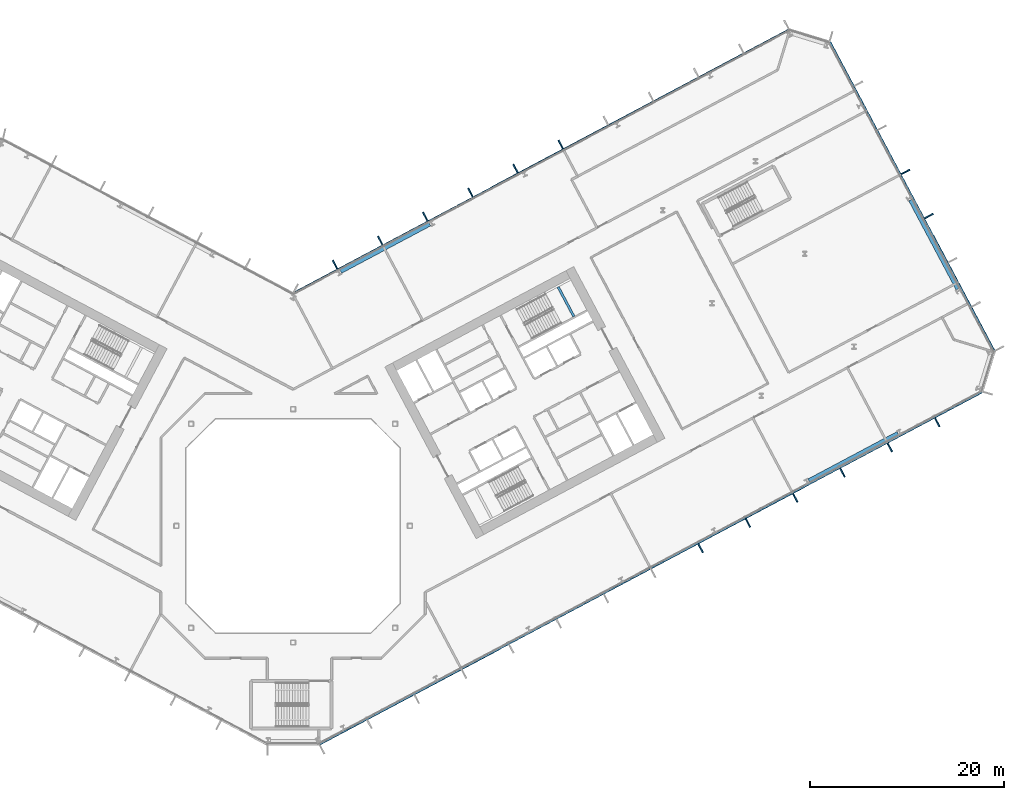
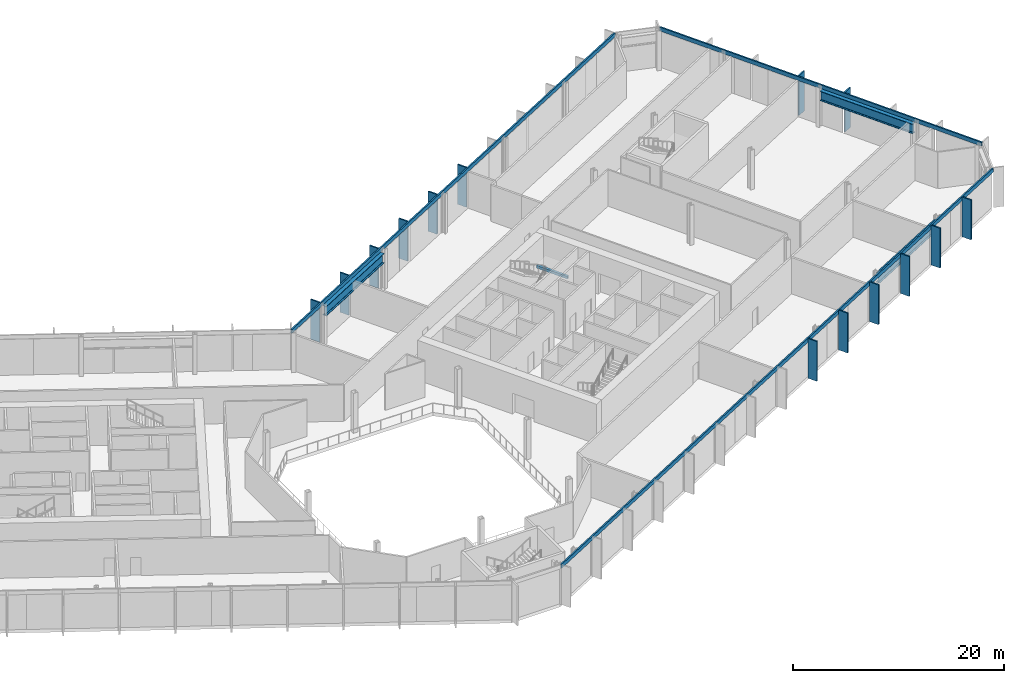
# One storey, part 8 of 32: 17 members, 4 beams, 3 elements without a shape of their own.
"""IFC4 building model written with IfcOpenShell, lengths in metres."""

from ifc_helpers import new_model, si_unit, direction, frame, origin, origin_2d, place, context, subcontext, project, spatial, rectangle, i_section, extrude, material, layer, layer_set, material_profile, profile_set, type_object, element, aggregate, save


model = new_model("IFC4")

# Units and contexts
model_context = context("Model", 3, precision=1e-05, world=origin(), true_north=direction((0.0, 1.0)))
body_context = subcontext(model_context, "Body", "Model", "MODEL_VIEW")
ifc_project = project(units=[si_unit("LENGTHUNIT", "METRE"), si_unit("AREAUNIT", "SQUARE_METRE"), si_unit("VOLUMEUNIT", "CUBIC_METRE"), si_unit("PLANEANGLEUNIT", "RADIAN"), si_unit("MASSUNIT", "GRAM", prefix="KILO")], contexts=[model_context])

# Site, building, storey
site_placement = place(None, origin())
site = spatial("IfcSite", under=ifc_project, at=site_placement, CompositionType="ELEMENT")
building_placement = place(site_placement, origin())
building = spatial("IfcBuilding", under=site, at=building_placement, Name="Cormorant Relay Tower", CompositionType="ELEMENT")
storey_placement = place(building_placement, frame((0.0, 0.0, 66.199951171875)))
storey = spatial("IfcBuildingStorey", under=building, at=storey_placement, Name="L12", CompositionType="ELEMENT", Elevation=66.199951171875)

# Curtain wall, members
ifc_material_1 = material(Name="Aluminium 6063-T6 anodised bronze", Category="aluminium")
ifc_layer = layer(ifc_material_1, 0.199951171875)
ifc_layer_set = layer_set([ifc_layer], Name="CW1 unitised bronze curtain wall with vertical fins")
curtain_wall_type = type_object("IfcCurtainWallType", Name="CW1 unitised bronze curtain wall with vertical fins", PredefinedType="NOTDEFINED", material=ifc_layer_set)
curtain_wall_1_placement = place(storey_placement, origin())
curtain_wall_1 = element("IfcCurtainWall", 1, at=curtain_wall_1_placement, inside=storey, type_object=curtain_wall_type, Name="CW1 curtain wall 2", PredefinedType="NOTDEFINED")
ifc_material_2 = material(Name="Aluminium 6063-T6 anodised bronze", Category="aluminium")
ifc_material_profile_1 = material_profile(ifc_material_2, rectangle(XDim=0.14990234375, YDim=1.0, at=origin_2d()), Name="AL 150x1000")
ifc_profile_set_1 = profile_set([ifc_material_profile_1], Name="Aluminium 6063-T6 anodised bronze")
member_type_1 = type_object("IfcMemberType", Name="CW1 bronze fin mullion 150 x 1000", PredefinedType="MULLION", material=ifc_profile_set_1)
member_1_placement = place(storey_placement, frame((41.910888671875, -2.29248046875, 0.0), z_axis=(0.0, 0.0, 1.0), x_axis=(0.882947592859, 0.469471562786, 0.0)))
member_1 = element("IfcMember", 2, at=member_1_placement, type_object=member_type_1, Name="CW1 fin 2.9", PredefinedType="MULLION", context=body_context, shape_type="SweptSolid", body=[
    extrude(rectangle(XDim=0.14990234375, YDim=1.0, at=origin_2d()), origin(), (0.0, 0.0, 1.0), 4.60009765625),
])
member_2_placement = place(storey_placement, frame((46.777587890625, 0.29541015625, 0.0), z_axis=(0.0, 0.0, 1.0), x_axis=(0.882947592859, 0.469471562786, 0.0)))
member_2 = element("IfcMember", 3, at=member_2_placement, type_object=member_type_1, Name="CW1 fin 2.10", PredefinedType="MULLION", context=body_context, shape_type="SweptSolid", body=[
    extrude(rectangle(XDim=0.14990234375, YDim=1.0, at=origin_2d()), origin(), (0.0, 0.0, 1.0), 4.60009765625),
])
member_3_placement = place(storey_placement, frame((51.644287109375, 2.8828125, 0.0), z_axis=(0.0, 0.0, 1.0), x_axis=(0.882947592859, 0.469471562786, 0.0)))
member_3 = element("IfcMember", 4, at=member_3_placement, type_object=member_type_1, Name="CW1 fin 2.11", PredefinedType="MULLION", context=body_context, shape_type="SweptSolid", body=[
    extrude(rectangle(XDim=0.14990234375, YDim=1.0, at=origin_2d()), origin(), (0.0, 0.0, 1.0), 4.60009765625),
])
member_4_placement = place(storey_placement, frame((56.510986328125, 5.470703125, 0.0), z_axis=(0.0, 0.0, 1.0), x_axis=(0.882947592859, 0.469471562786, 0.0)))
member_4 = element("IfcMember", 5, at=member_4_placement, type_object=member_type_1, Name="CW1 fin 2.12", PredefinedType="MULLION", context=body_context, shape_type="SweptSolid", body=[
    extrude(rectangle(XDim=0.14990234375, YDim=1.0, at=origin_2d()), origin(), (0.0, 0.0, 1.0), 4.60009765625),
])
member_5_placement = place(storey_placement, frame((61.377685546875, 8.058349609375, 0.0), z_axis=(0.0, 0.0, 1.0), x_axis=(0.882947592859, 0.469471562786, 0.0)))
member_5 = element("IfcMember", 6, at=member_5_placement, type_object=member_type_1, Name="CW1 fin 2.13", PredefinedType="MULLION", context=body_context, shape_type="SweptSolid", body=[
    extrude(rectangle(XDim=0.14990234375, YDim=1.0, at=origin_2d()), origin(), (0.0, 0.0, 1.0), 4.60009765625),
])
member_6_placement = place(storey_placement, frame((66.244140625, 10.64599609375, 0.0), z_axis=(0.0, 0.0, 1.0), x_axis=(0.882947592859, 0.469471562786, 0.0)))
member_6 = element("IfcMember", 7, at=member_6_placement, type_object=member_type_1, Name="CW1 fin 2.14", PredefinedType="MULLION", context=body_context, shape_type="SweptSolid", body=[
    extrude(rectangle(XDim=0.14990234375, YDim=1.0, at=origin_2d()), origin(), (0.0, 0.0, 1.0), 4.60009765625),
])

curtain_wall_2_placement = place(storey_placement, origin())
curtain_wall_2 = element("IfcCurtainWall", 8, at=curtain_wall_2_placement, inside=storey, type_object=curtain_wall_type, Name="CW1 curtain wall 4", PredefinedType="NOTDEFINED")
member_7_placement = place(storey_placement, frame((65.3974609375, 31.860107421875, 0.0), z_axis=(0.0, 0.0, 1.0), x_axis=(-0.469471562786, 0.882947592859, 0.0)))
member_7 = element("IfcMember", 9, at=member_7_placement, type_object=member_type_1, Name="CW1 fin 4.4", PredefinedType="MULLION", context=body_context, shape_type="SweptSolid", body=[
    extrude(rectangle(XDim=0.14990234375, YDim=1.0, at=origin_2d()), origin(), (0.0, 0.0, 1.0), 4.60009765625),
])
member_8_placement = place(storey_placement, frame((62.983154296875, 36.40087890625, 0.0), z_axis=(0.0, 0.0, 1.0), x_axis=(-0.469471562786, 0.882947592859, 0.0)))
member_8 = element("IfcMember", 10, at=member_8_placement, type_object=member_type_1, Name="CW1 fin 4.5", PredefinedType="MULLION", context=body_context, shape_type="SweptSolid", body=[
    extrude(rectangle(XDim=0.14990234375, YDim=1.0, at=origin_2d()), origin(), (0.0, 0.0, 1.0), 4.60009765625),
])

curtain_wall_3_placement = place(storey_placement, origin())
curtain_wall_3 = element("IfcCurtainWall", 11, at=curtain_wall_3_placement, inside=storey, type_object=curtain_wall_type, Name="CW1 curtain wall 6", PredefinedType="NOTDEFINED")
member_9_placement = place(storey_placement, frame((27.524658203125, 39.2119140625, 0.0), z_axis=(0.0, 0.0, 1.0), x_axis=(-0.882947592859, -0.469471562786, 0.0)))
member_9 = element("IfcMember", 12, at=member_9_placement, type_object=member_type_1, Name="CW1 fin 6.6", PredefinedType="MULLION", context=body_context, shape_type="SweptSolid", body=[
    extrude(rectangle(XDim=0.14990234375, YDim=1.0, at=origin_2d()), origin(), (0.0, 0.0, 1.0), 4.60009765625),
])
member_10_placement = place(storey_placement, frame((22.882568359375, 36.74365234375, 0.0), z_axis=(0.0, 0.0, 1.0), x_axis=(-0.882947592859, -0.469471562786, 0.0)))
member_10 = element("IfcMember", 13, at=member_10_placement, type_object=member_type_1, Name="CW1 fin 6.7", PredefinedType="MULLION", context=body_context, shape_type="SweptSolid", body=[
    extrude(rectangle(XDim=0.14990234375, YDim=1.0, at=origin_2d()), origin(), (0.0, 0.0, 1.0), 4.60009765625),
])
member_11_placement = place(storey_placement, frame((18.240234375, 34.275390625, 0.0), z_axis=(0.0, 0.0, 1.0), x_axis=(-0.882947592859, -0.469471562786, 0.0)))
member_11 = element("IfcMember", 14, at=member_11_placement, type_object=member_type_1, Name="CW1 fin 6.8", PredefinedType="MULLION", context=body_context, shape_type="SweptSolid", body=[
    extrude(rectangle(XDim=0.14990234375, YDim=1.0, at=origin_2d()), origin(), (0.0, 0.0, 1.0), 4.60009765625),
])
member_12_placement = place(storey_placement, frame((13.597900390625, 31.806884765625, 0.0), z_axis=(0.0, 0.0, 1.0), x_axis=(-0.882947592859, -0.469471562786, 0.0)))
member_12 = element("IfcMember", 15, at=member_12_placement, type_object=member_type_1, Name="CW1 fin 6.9", PredefinedType="MULLION", context=body_context, shape_type="SweptSolid", body=[
    extrude(rectangle(XDim=0.14990234375, YDim=1.0, at=origin_2d()), origin(), (0.0, 0.0, 1.0), 4.60009765625),
])
member_13_placement = place(storey_placement, frame((8.955810546875, 29.338623046875, 0.0), z_axis=(0.0, 0.0, 1.0), x_axis=(-0.882947592859, -0.469471562786, 0.0)))
member_13 = element("IfcMember", 16, at=member_13_placement, type_object=member_type_1, Name="CW1 fin 6.10", PredefinedType="MULLION", context=body_context, shape_type="SweptSolid", body=[
    extrude(rectangle(XDim=0.14990234375, YDim=1.0, at=origin_2d()), origin(), (0.0, 0.0, 1.0), 4.60009765625),
])
member_14_placement = place(storey_placement, frame((4.313720703125, 26.870361328125, 0.0), z_axis=(0.0, 0.0, 1.0), x_axis=(-0.882947592859, -0.469471562786, 0.0)))
member_14 = element("IfcMember", 17, at=member_14_placement, type_object=member_type_1, Name="CW1 fin 6.11", PredefinedType="MULLION", context=body_context, shape_type="SweptSolid", body=[
    extrude(rectangle(XDim=0.14990234375, YDim=1.0, at=origin_2d()), origin(), (0.0, 0.0, 1.0), 4.60009765625),
])

# Member
ifc_material_3 = material(Name="Aluminium 6063-T6 anodised bronze", Category="aluminium")
ifc_material_profile_2 = material_profile(ifc_material_3, rectangle(XDim=0.159912109375, YDim=0.449951171875, at=origin_2d()), Name="AL 160x450")
ifc_profile_set_2 = profile_set([ifc_material_profile_2], Name="Aluminium 6063-T6 anodised bronze")
member_type_2 = type_object("IfcMemberType", Name="CW1 bronze transom 160 x 450", PredefinedType="USERDEFINED", material=ifc_profile_set_2)
member_15_placement = place(storey_placement, frame((2.705078125, -22.4814453125, 4.375), z_axis=(0.882948654677, 0.46946956579, 0.0), x_axis=(-0.46946956579, 0.882948654677, 0.0)))
member_15 = element("IfcMember", 18, at=member_15_placement, type_object=member_type_2, Name="CW1 transom 2", ObjectType="TRANSOM", PredefinedType="USERDEFINED", context=body_context, shape_type="SweptSolid", body=[
    extrude(rectangle(XDim=0.159912109375, YDim=0.449951171875, at=origin_2d()), origin(), (0.0, 0.0, 1.0), 77.166015625),
])

aggregate(curtain_wall_1, [member_1, member_2, member_3, member_4, member_5, member_6, member_15])

member_16_placement = place(storey_placement, frame((72.128662109375, 17.965087890625, 4.375), z_axis=(-0.469469230355, 0.88294883303, 0.0), x_axis=(-0.88294883303, -0.469469230355, 0.0)))
member_16 = element("IfcMember", 19, at=member_16_placement, type_object=member_type_2, Name="CW1 transom 4", ObjectType="TRANSOM", PredefinedType="USERDEFINED", context=body_context, shape_type="SweptSolid", body=[
    extrude(rectangle(XDim=0.159912109375, YDim=0.449951171875, at=origin_2d()), origin(), (0.0, 0.0, 1.0), 36.0),
])

aggregate(curtain_wall_2, [member_7, member_8, member_16])

member_17_placement = place(storey_placement, frame((51.008056640625, 51.04150390625, 4.375), z_axis=(-0.882946446228, -0.469473719279, 0.0), x_axis=(0.469473719279, -0.882946446228, 0.0)))
member_17 = element("IfcMember", 20, at=member_17_placement, type_object=member_type_2, Name="CW1 transom 6", ObjectType="TRANSOM", PredefinedType="USERDEFINED", context=body_context, shape_type="SweptSolid", body=[
    extrude(rectangle(XDim=0.159912109375, YDim=0.449951171875, at=origin_2d()), origin(), (0.0, 0.0, 1.0), 57.834228515625),
])

aggregate(curtain_wall_3, [member_9, member_10, member_11, member_12, member_13, member_14, member_17])

# Beams
ifc_material_4 = material(Name="Steel ASTM A992 (Fy 345 MPa)", Category="steel")
ifc_material_profile_3 = material_profile(ifc_material_4, i_section(OverallWidth=0.40380859375, OverallDepth=1.11767578125, WebThickness=0.026123046875, FlangeThickness=0.044921875, FilletRadius=0.02001953125, at=origin_2d()), Name="W1100x499")
ifc_profile_set_3 = profile_set([ifc_material_profile_3], Name="Steel ASTM A992 (Fy 345 MPa)")
beam_type_1 = type_object("IfcBeamType", Name="Spandrel W1100x499", PredefinedType="SPANDREL", material=ifc_profile_set_3)
for number, where, z_axis, x_axis, name in (
    (21, (53.0390625, 4.64599609375, 3.641357421875), (0.882937138632, 0.469491223799, 0.0), (-0.469491223799, 0.882937138632, 0.0), "Spandrel beam L12-002"),
    (22, (68.364990234375, 24.358154296875, 3.641357421875), (-0.469491223799, 0.882937138632, 0.0), (-0.882937138632, -0.469491223799, 0.0), "Spandrel beam L12-004"),
    (23, (14.06494140625, 31.03369140625, 3.641357421875), (-0.882946891921, -0.469472881056, 0.0), (0.469472881056, -0.882946891921, 0.0), "Spandrel beam L12-006"),
):
    element("IfcBeam", number, at=place(storey_placement, frame(where, z_axis=z_axis, x_axis=x_axis)), inside=storey, type_object=beam_type_1, Name=name, PredefinedType="SPANDREL", context=body_context, shape_type="SweptSolid", body=[
        extrude(i_section(OverallWidth=0.40380859375, OverallDepth=1.11767578125, WebThickness=0.026123046875, FlangeThickness=0.044921875, FilletRadius=0.02001953125, at=origin_2d()), origin(), (0.0, 0.0, 1.0), 10.376220703125),
    ])
ifc_material_5 = material(Name="Concrete 50 MPa", Category="concrete")
ifc_material_profile_4 = material_profile(ifc_material_5, rectangle(XDim=0.25, YDim=0.300048828125, at=origin_2d()), Name="RC 250x300")
ifc_profile_set_4 = profile_set([ifc_material_profile_4], Name="Concrete 50 MPa")
beam_type_2 = type_object("IfcBeamType", Name="Stair landing ledge beam 250x300", PredefinedType="BEAM", material=ifc_profile_set_4)
beam_placement = place(storey_placement, frame((28.878662109375, 21.527587890625, 1.949951171875), z_axis=(-0.469463917486, 0.882951657895, 0.0), x_axis=(-0.882951657895, -0.469463917486, 0.0)))
element("IfcBeam", 24, at=beam_placement, inside=storey, type_object=beam_type_2, Name="B2 landing ledge beam", PredefinedType="BEAM", context=body_context, shape_type="SweptSolid", body=[
    extrude(rectangle(XDim=0.25, YDim=0.300048828125, at=origin_2d()), origin(), (0.0, 0.0, 1.0), 3.449951171875),
])

save(model, "model.ifc")
